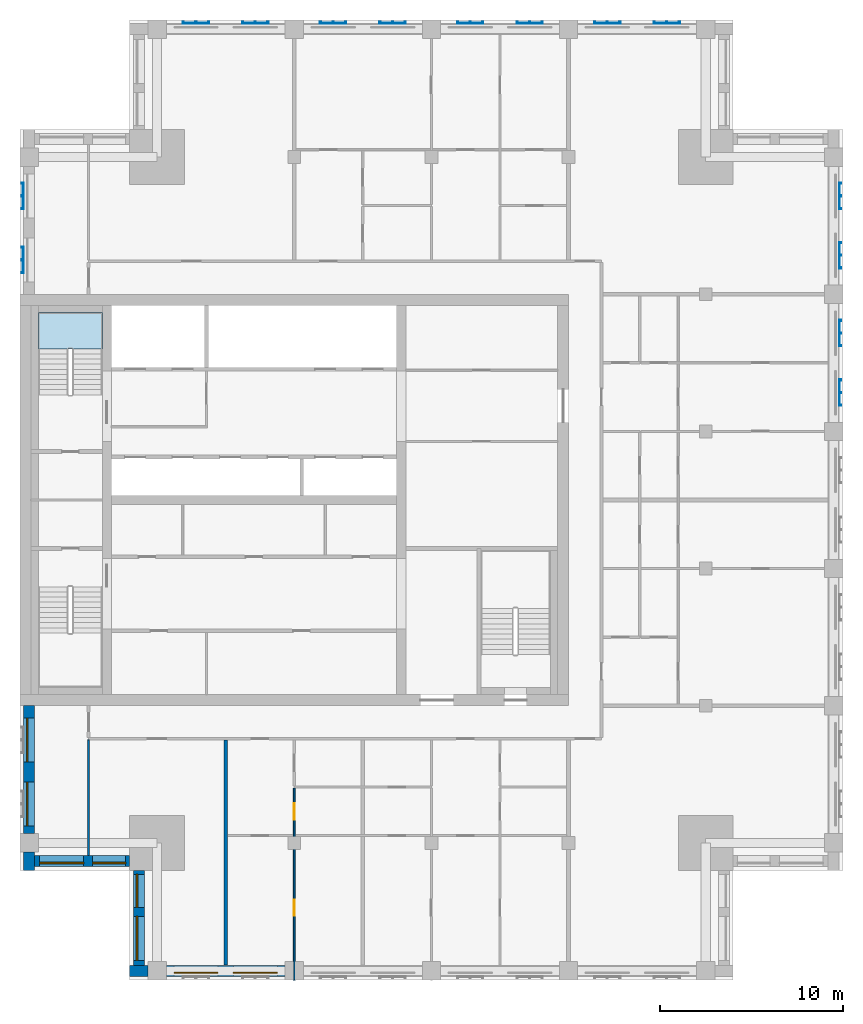
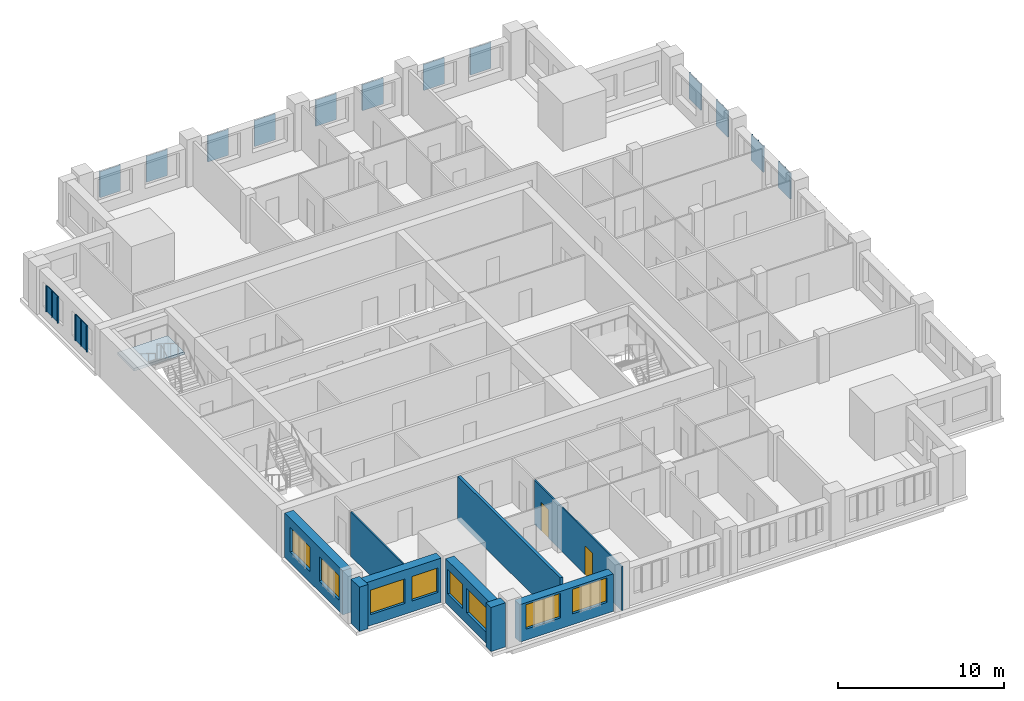
# One storey, part 2 of 10: 14 plates, 9 walls, 8 windows, 2 doors, 1 slab, 10 openings, 1 element without a shape of its own.
"""IFC4 building model written with IfcOpenShell, lengths in metres."""

import ifcopenshell
import ifcopenshell.guid

model = None  # the IFC model being written
_history = None  # IfcOwnerHistory: only IFC2X3 demands one
_inside = {}  # id of a spatial element -> (the spatial element, [elements in it])
_under = {}  # id of a project, library or spatial element -> (it, [spatial elements below it])
_declared = {}  # id of a project -> (the project, [libraries it declares])
_typed = {}  # id of a type object -> (the type object, [elements of that type])
_made_of = {}  # id of a material, layer set ... -> (it, [elements and type objects made of it])


def new_model(schema):
    """Start an empty IFC model of exactly this schema.

    Asked for "IFC4X3", IfcOpenShell would pick the latest addendum, in which some entities
    have other attributes; the version numbers below select the first issue.
    IFC2X3 requires an IfcOwnerHistory on every rooted entity: one is made here for all.
    """
    global model, _history
    if schema == "IFC4X3":
        model = ifcopenshell.file(schema_version=(4, 3, 0, 0))
    else:
        model = ifcopenshell.file(schema=schema)
    _inside.clear()
    _under.clear()
    _declared.clear()
    _typed.clear()
    _made_of.clear()
    _history = None
    if model.schema == "IFC2X3":
        org = make("IfcOrganization", Name="unknown")
        user = make(
            "IfcPersonAndOrganization",
            ThePerson=make("IfcPerson", FamilyName="unknown"),
            TheOrganization=org,
        )
        app = make(
            "IfcApplication",
            ApplicationDeveloper=org,
            Version="unknown",
            ApplicationFullName="unknown",
            ApplicationIdentifier="unknown",
        )
        _history = make(
            "IfcOwnerHistory",
            OwningUser=user,
            OwningApplication=app,
            ChangeAction="ADDED",
            CreationDate=0,
        )
    return model


def make(cls, **values):
    """One entity of the class cls with the attributes given. An attribute that is None is left unset."""
    return model.create_entity(
        cls, **{name: value for name, value in values.items() if value is not None}
    )


def rooted(cls, **values):
    """An entity with a GlobalId (a new one), such as an element, a storey or a relation."""
    return make(cls, GlobalId=ifcopenshell.guid.new(), OwnerHistory=_history, **values)


def si_unit(unit_type, name, prefix=None):
    """IfcSIUnit, for example si_unit("LENGTHUNIT", "METRE", prefix="MILLI")."""
    return make("IfcSIUnit", UnitType=unit_type, Prefix=prefix, Name=name)


def assignment(units):
    """IfcUnitAssignment: the units of a project."""
    return None if units is None else make("IfcUnitAssignment", Units=units)


def point(xyz):
    """IfcCartesianPoint."""
    return None if xyz is None else make("IfcCartesianPoint", Coordinates=xyz)


def direction(xyz):
    """IfcDirection."""
    return None if xyz is None else make("IfcDirection", DirectionRatios=xyz)


def frame(location, z_axis=None, x_axis=None):
    """IfcAxis2Placement3D, a coordinate frame: its origin and axes. An axis left out is left unset."""
    return make(
        "IfcAxis2Placement3D",
        Location=point(location),
        Axis=direction(z_axis),
        RefDirection=direction(x_axis),
    )


def frame_2d(location, x_axis=None):
    """IfcAxis2Placement2D, a coordinate frame in the plane: its origin and x axis."""
    return make(
        "IfcAxis2Placement2D", Location=point(location), RefDirection=direction(x_axis)
    )


def origin():
    """The frame at (0, 0, 0) with its axes left unset."""
    return frame((0.0, 0.0, 0.0))


def place(relative_to, where):
    """IfcLocalPlacement: puts the frame where relative to a parent placement (None: the world)."""
    return make(
        "IfcLocalPlacement", PlacementRelTo=relative_to, RelativePlacement=where
    )


def context(
    kind, dimensions, precision=None, world=None, true_north=None, identifier=None
):
    """IfcGeometricRepresentationContext, for example the 3D "Model" context."""
    return make(
        "IfcGeometricRepresentationContext",
        ContextIdentifier=identifier,
        ContextType=kind,
        CoordinateSpaceDimension=dimensions,
        Precision=precision,
        WorldCoordinateSystem=world,
        TrueNorth=true_north,
    )


def subcontext(parent, identifier, kind, view, scale=None):
    """IfcGeometricRepresentationSubContext, for example "Body" below "Model"."""
    return make(
        "IfcGeometricRepresentationSubContext",
        ContextIdentifier=identifier,
        ContextType=kind,
        ParentContext=parent,
        TargetScale=scale,
        TargetView=view,
    )


def project(units=None, contexts=None):
    """IfcProject with its units and contexts."""
    return rooted(
        "IfcProject",
        Name="project",
        RepresentationContexts=contexts,
        UnitsInContext=assignment(units),
    )


def spatial(cls, under=None, at=None, **own):
    """A site, building, storey or space (cls), placed at a placement, below another one or the project."""
    s = rooted(cls, ObjectPlacement=at, **own)
    if under is not None:
        _under.setdefault(under.id(), (under, []))[1].append(s)
    return s


def polyline(points):
    """IfcPolyline through the points."""
    return make("IfcPolyline", Points=[point(p) for p in points])


def profile(cls, at=None, kind="AREA", **sizes):
    """A parametric profile (cls). Its sizes go by their IFC names, for example OverallWidth=200.0."""
    return make(cls, ProfileType=kind, Position=at, **sizes)


def rectangle(**sizes):
    """IfcRectangleProfileDef."""
    return profile("IfcRectangleProfileDef", **sizes)


def outline(outer, holes=None, kind="AREA"):
    """IfcArbitraryClosedProfileDef: a profile drawn as a closed curve; with holes, ...WithVoids."""
    if holes is None:
        return make("IfcArbitraryClosedProfileDef", ProfileType=kind, OuterCurve=outer)
    return make(
        "IfcArbitraryProfileDefWithVoids",
        ProfileType=kind,
        OuterCurve=outer,
        InnerCurves=holes,
    )


def extrude(swept, where, along, depth):
    """IfcExtrudedAreaSolid: the profile swept, set in the frame where, extruded along a direction by depth."""
    return make(
        "IfcExtrudedAreaSolid",
        SweptArea=swept,
        Position=where,
        ExtrudedDirection=direction(along),
        Depth=depth,
    )


def shape(context_of_items, identifier, shape_type, items):
    """IfcShapeRepresentation: the items that make up one representation, for example the "Body"."""
    return make(
        "IfcShapeRepresentation",
        ContextOfItems=context_of_items,
        RepresentationIdentifier=identifier,
        RepresentationType=shape_type,
        Items=items,
    )


def material(Name=None, Category=None):
    """IfcMaterial."""
    return make("IfcMaterial", Name=Name, Category=Category)


def layer(
    of_material, thickness, ventilated=None, Name=None, Category=None, Priority=None
):
    """IfcMaterialLayer: one layer of a wall or slab, of a material (None: an air gap)."""
    return make(
        "IfcMaterialLayer",
        Material=of_material,
        LayerThickness=thickness,
        IsVentilated=ventilated,
        Name=Name,
        Category=Category,
        Priority=Priority,
    )


def layer_set(layers, Name=None):
    """IfcMaterialLayerSet."""
    return make("IfcMaterialLayerSet", MaterialLayers=layers, LayerSetName=Name)


def made_of(thing, what):
    """Note that an element or type object is made of a material, layer set ...; save() writes the relation."""
    if what is not None:
        _made_of.setdefault(what.id(), (what, []))[1].append(thing)
    return thing


def type_object(cls, material=None, **own):
    """A type object (cls), such as IfcWallType, which elements share."""
    return made_of(rooted(cls, **own), material)


def element(
    cls,
    number,
    at=None,
    inside=None,
    cuts=None,
    type_object=None,
    material=None,
    context=None,
    identifier="Body",
    shape_type=None,
    held_by="IfcProductDefinitionShape",
    body=None,
    shapes=None,
    **own,
):
    """One element of the class cls, such as IfcWall. Its Tag is "e" and its number.

    at: its placement. inside: the storey or other place that contains it. cuts: it is an
    opening in that element (IfcRelVoidsElement). A single representation is given by context,
    identifier, shape_type and body (its items); several are given by shapes. held_by: the class
    of the entity that holds the representations. save() writes the other relations.
    """
    e = rooted(cls, Tag="e%d" % number, ObjectPlacement=at, **own)
    if body is not None:
        shapes = [shape(context, identifier, shape_type, body)]
    if shapes is not None:
        e.Representation = make(held_by, Representations=shapes)
    if inside is not None:
        _inside.setdefault(inside.id(), (inside, []))[1].append(e)
    if cuts is not None:
        rooted(
            "IfcRelVoidsElement", RelatingBuildingElement=cuts, RelatedOpeningElement=e
        )
    if type_object is not None:
        _typed.setdefault(type_object.id(), (type_object, []))[1].append(e)
    return made_of(e, material)


def fill(opening, filler):
    """IfcRelFillsElement: the door or window that sits in an opening."""
    return rooted(
        "IfcRelFillsElement",
        RelatingOpeningElement=opening,
        RelatedBuildingElement=filler,
    )


def aggregate(whole, parts):
    """IfcRelAggregates: a whole, such as a stair, and the parts it consists of."""
    return rooted("IfcRelAggregates", RelatingObject=whole, RelatedObjects=parts)


def save(model, path):
    """Write the relations noted so far, then the file.

    IfcRelAggregates (storeys below a building ...), IfcRelContainedInSpatialStructure (elements
    in a storey), IfcRelDefinesByType, IfcRelAssociatesMaterial and IfcRelDeclares: one each for
    every whole, place, type object, material and project.
    """
    for whole, parts in _under.values():
        aggregate(whole, parts)
    for where, things in _inside.values():
        rooted(
            "IfcRelContainedInSpatialStructure",
            RelatedElements=things,
            RelatingStructure=where,
        )
    for kind, things in _typed.values():
        rooted("IfcRelDefinesByType", RelatedObjects=things, RelatingType=kind)
    for what, things in _made_of.values():
        rooted("IfcRelAssociatesMaterial", RelatedObjects=things, RelatingMaterial=what)
    for by, libraries in _declared.values():
        rooted("IfcRelDeclares", RelatingContext=by, RelatedDefinitions=libraries)
    model.write(path)


model = new_model("IFC4")

# Units and contexts
model_context = context("Model", 3, precision=1e-05, world=origin(), true_north=direction((0.0, 1.0)))
body_context = subcontext(model_context, "Body", "Model", "MODEL_VIEW")
ifc_project = project(units=[si_unit("LENGTHUNIT", "METRE"), si_unit("AREAUNIT", "SQUARE_METRE"), si_unit("VOLUMEUNIT", "CUBIC_METRE"), si_unit("PLANEANGLEUNIT", "RADIAN"), si_unit("MASSUNIT", "GRAM", prefix="KILO")], contexts=[model_context])

# Site, building, storey
site_placement = place(None, origin())
site = spatial("IfcSite", under=ifc_project, at=site_placement, CompositionType="ELEMENT")
building_placement = place(site_placement, origin())
building = spatial("IfcBuilding", under=site, at=building_placement, Name="Tamorin Gate", CompositionType="ELEMENT")
storey_placement = place(building_placement, frame((0.0, 0.0, 280.199951171875)))
storey = spatial("IfcBuildingStorey", under=building, at=storey_placement, Name="L70", CompositionType="ELEMENT", Elevation=280.199951171875)

# Stair, slab
ifc_material_1 = material(Name="Concrete C40/50", Category="concrete")
stair_type = type_object("IfcStairType", Name="Exit stair", PredefinedType="HALF_TURN_STAIR", material=ifc_material_1)
stair_placement = place(storey_placement, origin())
stair = element("IfcStair", 1, at=stair_placement, inside=storey, type_object=stair_type, Name="L70 stair ST2", PredefinedType="HALF_TURN_STAIR")
ifc_layer_1 = layer(ifc_material_1, 0.199951171875)
ifc_layer_set_1 = layer_set([ifc_layer_1], Name="Exit stair landing 200")
slab_type = type_object("IfcSlabType", Name="Exit stair landing 200", PredefinedType="LANDING", material=ifc_layer_set_1)
slab_placement = place(storey_placement, frame((0.0, 0.0, 1.550048828125)))
slab = element("IfcSlab", 2, at=slab_placement, type_object=slab_type, Name="ST2 landing 1", PredefinedType="LANDING", context=body_context, shape_type="SweptSolid", body=[
    extrude(outline(polyline([(34.5, 79.52001953125), (34.5, 81.5), (31.0, 81.5), (31.0, 79.52001953125), (34.5, 79.52001953125)])), origin(), (0.0, 0.0, 1.0), 0.199951171875),
])
aggregate(stair, [slab])

# Plates
ifc_material_2 = material(Name="Perforated pale aluminium sheet", Category="aluminium")
ifc_layer_2 = layer(ifc_material_2, 0.0400390625)
ifc_layer_set_2 = layer_set([ifc_layer_2], Name="Pale metal solar screen 1440")
plate_type = type_object("IfcPlateType", Name="Pale metal solar screen 1440", PredefinedType="SHEET", material=ifc_layer_set_2)
plate_1_placement = place(storey_placement, frame((0.0, 0.0, 0.737548828125)))
element("IfcPlate", 3, at=plate_1_placement, inside=storey, type_object=plate_type, Name="Perforated solar screen", PredefinedType="SHEET", context=body_context, shape_type="SweptSolid", body=[
    extrude(outline(polyline([(74.840087890625, 76.405029296875), (74.800048828125, 76.405029296875), (74.800048828125, 76.465087890625), (74.800048828125, 77.094970703125), (74.800048828125, 77.155029296875), (74.800048828125, 77.784912109375), (74.800048828125, 77.844970703125), (74.840087890625, 77.844970703125), (74.89990234375, 77.844970703125), (74.89990234375, 77.784912109375), (74.840087890625, 77.784912109375), (74.840087890625, 77.155029296875), (74.89990234375, 77.155029296875), (74.89990234375, 77.094970703125), (74.840087890625, 77.094970703125), (74.840087890625, 76.465087890625), (74.89990234375, 76.465087890625), (74.89990234375, 76.405029296875), (74.840087890625, 76.405029296875)])), origin(), (0.0, 0.0, 1.0), 1.925048828125),
])
plate_2_placement = place(storey_placement, frame((0.0, 0.0, 0.737548828125)))
element("IfcPlate", 4, at=plate_2_placement, inside=storey, type_object=plate_type, Name="Perforated solar screen", PredefinedType="SHEET", context=body_context, shape_type="SweptSolid", body=[
    extrude(outline(polyline([(74.840087890625, 79.655029296875), (74.800048828125, 79.655029296875), (74.800048828125, 79.715087890625), (74.800048828125, 80.344970703125), (74.800048828125, 80.405029296875), (74.800048828125, 81.034912109375), (74.800048828125, 81.094970703125), (74.840087890625, 81.094970703125), (74.89990234375, 81.094970703125), (74.89990234375, 81.034912109375), (74.840087890625, 81.034912109375), (74.840087890625, 80.405029296875), (74.89990234375, 80.405029296875), (74.89990234375, 80.344970703125), (74.840087890625, 80.344970703125), (74.840087890625, 79.715087890625), (74.89990234375, 79.715087890625), (74.89990234375, 79.655029296875), (74.840087890625, 79.655029296875)])), origin(), (0.0, 0.0, 1.0), 1.925048828125),
])
plate_3_placement = place(storey_placement, frame((0.0, 0.0, 0.737548828125)))
element("IfcPlate", 5, at=plate_3_placement, inside=storey, type_object=plate_type, Name="Perforated solar screen", PredefinedType="SHEET", context=body_context, shape_type="SweptSolid", body=[
    extrude(outline(polyline([(74.840087890625, 83.905029296875), (74.800048828125, 83.905029296875), (74.800048828125, 83.965087890625), (74.800048828125, 84.594970703125), (74.800048828125, 84.655029296875), (74.800048828125, 85.284912109375), (74.800048828125, 85.344970703125), (74.840087890625, 85.344970703125), (74.89990234375, 85.344970703125), (74.89990234375, 85.284912109375), (74.840087890625, 85.284912109375), (74.840087890625, 84.655029296875), (74.89990234375, 84.655029296875), (74.89990234375, 84.594970703125), (74.840087890625, 84.594970703125), (74.840087890625, 83.965087890625), (74.89990234375, 83.965087890625), (74.89990234375, 83.905029296875), (74.840087890625, 83.905029296875)])), origin(), (0.0, 0.0, 1.0), 1.925048828125),
])
plate_4_placement = place(storey_placement, frame((0.0, 0.0, 0.737548828125)))
element("IfcPlate", 6, at=plate_4_placement, inside=storey, type_object=plate_type, Name="Perforated solar screen", PredefinedType="SHEET", context=body_context, shape_type="SweptSolid", body=[
    extrude(outline(polyline([(74.840087890625, 87.155029296875), (74.800048828125, 87.155029296875), (74.800048828125, 87.215087890625), (74.800048828125, 87.844970703125), (74.800048828125, 87.905029296875), (74.800048828125, 88.534912109375), (74.800048828125, 88.594970703125), (74.840087890625, 88.594970703125), (74.89990234375, 88.594970703125), (74.89990234375, 88.534912109375), (74.840087890625, 88.534912109375), (74.840087890625, 87.905029296875), (74.89990234375, 87.905029296875), (74.89990234375, 87.844970703125), (74.840087890625, 87.844970703125), (74.840087890625, 87.215087890625), (74.89990234375, 87.215087890625), (74.89990234375, 87.155029296875), (74.840087890625, 87.155029296875)])), origin(), (0.0, 0.0, 1.0), 1.925048828125),
])
plate_5_placement = place(storey_placement, frame((0.0, 0.0, 0.737548828125)))
element("IfcPlate", 7, at=plate_5_placement, inside=storey, type_object=plate_type, Name="Perforated solar screen", PredefinedType="SHEET", context=body_context, shape_type="SweptSolid", body=[
    extrude(outline(polyline([(62.844970703125, 97.340087890625), (62.844970703125, 97.300048828125), (62.784912109375, 97.300048828125), (62.155029296875, 97.300048828125), (62.094970703125, 97.300048828125), (61.465087890625, 97.300048828125), (61.405029296875, 97.300048828125), (61.405029296875, 97.300048828125), (61.405029296875, 97.340087890625), (61.405029296875, 97.340087890625), (61.405029296875, 97.39990234375), (61.465087890625, 97.39990234375), (61.465087890625, 97.340087890625), (62.094970703125, 97.340087890625), (62.094970703125, 97.39990234375), (62.155029296875, 97.39990234375), (62.155029296875, 97.340087890625), (62.784912109375, 97.340087890625), (62.784912109375, 97.39990234375), (62.844970703125, 97.39990234375), (62.844970703125, 97.340087890625)])), origin(), (0.0, 0.0, 1.0), 1.925048828125),
])
plate_6_placement = place(storey_placement, frame((0.0, 0.0, 0.737548828125)))
element("IfcPlate", 8, at=plate_6_placement, inside=storey, type_object=plate_type, Name="Perforated solar screen", PredefinedType="SHEET", context=body_context, shape_type="SweptSolid", body=[
    extrude(outline(polyline([(66.094970703125, 97.340087890625), (66.094970703125, 97.300048828125), (66.034912109375, 97.300048828125), (65.405029296875, 97.300048828125), (65.344970703125, 97.300048828125), (64.715087890625, 97.300048828125), (64.655029296875, 97.300048828125), (64.655029296875, 97.300048828125), (64.655029296875, 97.340087890625), (64.655029296875, 97.340087890625), (64.655029296875, 97.39990234375), (64.715087890625, 97.39990234375), (64.715087890625, 97.340087890625), (65.344970703125, 97.340087890625), (65.344970703125, 97.39990234375), (65.405029296875, 97.39990234375), (65.405029296875, 97.340087890625), (66.034912109375, 97.340087890625), (66.034912109375, 97.39990234375), (66.094970703125, 97.39990234375), (66.094970703125, 97.340087890625)])), origin(), (0.0, 0.0, 1.0), 1.925048828125),
])
plate_7_placement = place(storey_placement, frame((0.0, 0.0, 0.737548828125)))
element("IfcPlate", 9, at=plate_7_placement, inside=storey, type_object=plate_type, Name="Perforated solar screen", PredefinedType="SHEET", context=body_context, shape_type="SweptSolid", body=[
    extrude(outline(polyline([(55.344970703125, 97.340087890625), (55.344970703125, 97.300048828125), (55.284912109375, 97.300048828125), (54.655029296875, 97.300048828125), (54.594970703125, 97.300048828125), (53.965087890625, 97.300048828125), (53.905029296875, 97.300048828125), (53.905029296875, 97.340087890625), (53.905029296875, 97.39990234375), (53.965087890625, 97.39990234375), (53.965087890625, 97.340087890625), (54.594970703125, 97.340087890625), (54.594970703125, 97.39990234375), (54.655029296875, 97.39990234375), (54.655029296875, 97.340087890625), (55.284912109375, 97.340087890625), (55.284912109375, 97.39990234375), (55.344970703125, 97.39990234375), (55.344970703125, 97.340087890625)])), origin(), (0.0, 0.0, 1.0), 1.925048828125),
])
plate_8_placement = place(storey_placement, frame((0.0, 0.0, 0.737548828125)))
element("IfcPlate", 10, at=plate_8_placement, inside=storey, type_object=plate_type, Name="Perforated solar screen", PredefinedType="SHEET", context=body_context, shape_type="SweptSolid", body=[
    extrude(outline(polyline([(58.594970703125, 97.340087890625), (58.594970703125, 97.300048828125), (58.534912109375, 97.300048828125), (57.905029296875, 97.300048828125), (57.844970703125, 97.300048828125), (57.215087890625, 97.300048828125), (57.155029296875, 97.300048828125), (57.155029296875, 97.340087890625), (57.155029296875, 97.39990234375), (57.215087890625, 97.39990234375), (57.215087890625, 97.340087890625), (57.844970703125, 97.340087890625), (57.844970703125, 97.39990234375), (57.905029296875, 97.39990234375), (57.905029296875, 97.340087890625), (58.534912109375, 97.340087890625), (58.534912109375, 97.39990234375), (58.594970703125, 97.39990234375), (58.594970703125, 97.340087890625)])), origin(), (0.0, 0.0, 1.0), 1.925048828125),
])
plate_9_placement = place(storey_placement, frame((0.0, 0.0, 0.737548828125)))
element("IfcPlate", 11, at=plate_9_placement, inside=storey, type_object=plate_type, Name="Perforated solar screen", PredefinedType="SHEET", context=body_context, shape_type="SweptSolid", body=[
    extrude(outline(polyline([(47.844970703125, 97.340087890625), (47.844970703125, 97.300048828125), (47.784912109375, 97.300048828125), (47.155029296875, 97.300048828125), (47.094970703125, 97.300048828125), (46.465087890625, 97.300048828125), (46.405029296875, 97.300048828125), (46.405029296875, 97.340087890625), (46.405029296875, 97.39990234375), (46.465087890625, 97.39990234375), (46.465087890625, 97.340087890625), (47.094970703125, 97.340087890625), (47.094970703125, 97.39990234375), (47.155029296875, 97.39990234375), (47.155029296875, 97.340087890625), (47.784912109375, 97.340087890625), (47.784912109375, 97.39990234375), (47.844970703125, 97.39990234375), (47.844970703125, 97.340087890625)])), origin(), (0.0, 0.0, 1.0), 1.925048828125),
])
plate_10_placement = place(storey_placement, frame((0.0, 0.0, 0.737548828125)))
element("IfcPlate", 12, at=plate_10_placement, inside=storey, type_object=plate_type, Name="Perforated solar screen", PredefinedType="SHEET", context=body_context, shape_type="SweptSolid", body=[
    extrude(outline(polyline([(51.094970703125, 97.340087890625), (51.094970703125, 97.300048828125), (51.034912109375, 97.300048828125), (50.405029296875, 97.300048828125), (50.344970703125, 97.300048828125), (49.715087890625, 97.300048828125), (49.655029296875, 97.300048828125), (49.655029296875, 97.340087890625), (49.655029296875, 97.39990234375), (49.715087890625, 97.39990234375), (49.715087890625, 97.340087890625), (50.344970703125, 97.340087890625), (50.344970703125, 97.39990234375), (50.405029296875, 97.39990234375), (50.405029296875, 97.340087890625), (51.034912109375, 97.340087890625), (51.034912109375, 97.39990234375), (51.094970703125, 97.39990234375), (51.094970703125, 97.340087890625)])), origin(), (0.0, 0.0, 1.0), 1.925048828125),
])
plate_11_placement = place(storey_placement, frame((0.0, 0.0, 0.737548828125)))
element("IfcPlate", 13, at=plate_11_placement, inside=storey, type_object=plate_type, Name="Perforated solar screen", PredefinedType="SHEET", context=body_context, shape_type="SweptSolid", body=[
    extrude(outline(polyline([(40.344970703125, 97.340087890625), (40.344970703125, 97.300048828125), (40.284912109375, 97.300048828125), (39.655029296875, 97.300048828125), (39.594970703125, 97.300048828125), (38.965087890625, 97.300048828125), (38.905029296875, 97.300048828125), (38.905029296875, 97.340087890625), (38.905029296875, 97.39990234375), (38.965087890625, 97.39990234375), (38.965087890625, 97.340087890625), (39.594970703125, 97.340087890625), (39.594970703125, 97.39990234375), (39.655029296875, 97.39990234375), (39.655029296875, 97.340087890625), (40.284912109375, 97.340087890625), (40.284912109375, 97.39990234375), (40.344970703125, 97.39990234375), (40.344970703125, 97.340087890625)])), origin(), (0.0, 0.0, 1.0), 1.925048828125),
])
plate_12_placement = place(storey_placement, frame((0.0, 0.0, 0.737548828125)))
element("IfcPlate", 14, at=plate_12_placement, inside=storey, type_object=plate_type, Name="Perforated solar screen", PredefinedType="SHEET", context=body_context, shape_type="SweptSolid", body=[
    extrude(outline(polyline([(43.594970703125, 97.340087890625), (43.594970703125, 97.300048828125), (43.534912109375, 97.300048828125), (42.905029296875, 97.300048828125), (42.844970703125, 97.300048828125), (42.215087890625, 97.300048828125), (42.155029296875, 97.300048828125), (42.155029296875, 97.340087890625), (42.155029296875, 97.39990234375), (42.215087890625, 97.39990234375), (42.215087890625, 97.340087890625), (42.844970703125, 97.340087890625), (42.844970703125, 97.39990234375), (42.905029296875, 97.39990234375), (42.905029296875, 97.340087890625), (43.534912109375, 97.340087890625), (43.534912109375, 97.39990234375), (43.594970703125, 97.39990234375), (43.594970703125, 97.340087890625)])), origin(), (0.0, 0.0, 1.0), 1.925048828125),
])
plate_13_placement = place(storey_placement, frame((0.0, 0.0, 0.737548828125)))
element("IfcPlate", 15, at=plate_13_placement, inside=storey, type_object=plate_type, Name="Perforated solar screen", PredefinedType="SHEET", context=body_context, shape_type="SweptSolid", body=[
    extrude(outline(polyline([(30.159912109375, 85.094970703125), (30.199951171875, 85.094970703125), (30.199951171875, 85.034912109375), (30.199951171875, 84.405029296875), (30.199951171875, 84.344970703125), (30.199951171875, 83.715087890625), (30.199951171875, 83.655029296875), (30.199951171875, 83.655029296875), (30.159912109375, 83.655029296875), (30.159912109375, 83.655029296875), (30.10009765625, 83.655029296875), (30.10009765625, 83.715087890625), (30.159912109375, 83.715087890625), (30.159912109375, 84.344970703125), (30.10009765625, 84.344970703125), (30.10009765625, 84.405029296875), (30.159912109375, 84.405029296875), (30.159912109375, 85.034912109375), (30.10009765625, 85.034912109375), (30.10009765625, 85.094970703125), (30.159912109375, 85.094970703125)])), origin(), (0.0, 0.0, 1.0), 1.925048828125),
])
plate_14_placement = place(storey_placement, frame((0.0, 0.0, 0.737548828125)))
element("IfcPlate", 16, at=plate_14_placement, inside=storey, type_object=plate_type, Name="Perforated solar screen", PredefinedType="SHEET", context=body_context, shape_type="SweptSolid", body=[
    extrude(outline(polyline([(30.159912109375, 88.594970703125), (30.199951171875, 88.594970703125), (30.199951171875, 88.534912109375), (30.199951171875, 87.905029296875), (30.199951171875, 87.844970703125), (30.199951171875, 87.215087890625), (30.199951171875, 87.155029296875), (30.199951171875, 87.155029296875), (30.159912109375, 87.155029296875), (30.159912109375, 87.155029296875), (30.10009765625, 87.155029296875), (30.10009765625, 87.215087890625), (30.159912109375, 87.215087890625), (30.159912109375, 87.844970703125), (30.10009765625, 87.844970703125), (30.10009765625, 87.905029296875), (30.159912109375, 87.905029296875), (30.159912109375, 88.534912109375), (30.10009765625, 88.534912109375), (30.10009765625, 88.594970703125), (30.159912109375, 88.594970703125)])), origin(), (0.0, 0.0, 1.0), 1.925048828125),
])

# Wall
ifc_material_3 = material(Name="Precast concrete C40/50", Category="concrete")
ifc_layer_3 = layer(ifc_material_3, 0.60009765625)
ifc_layer_set_3 = layer_set([ifc_layer_3], Name="Precast concrete C40/50")
wall_type_1 = type_object("IfcWallType", Name="Board-marked concrete facade panel 600", PredefinedType="SOLIDWALL", material=ifc_layer_set_3)
wall_1_placement = place(storey_placement, frame((36.0, 45.5, 0.0), z_axis=(0.0, 0.0, 1.0), x_axis=(1.0, 0.0, 0.0)))
element("IfcWall", 17, at=wall_1_placement, inside=storey, type_object=wall_type_1, Name="Facade panel", PredefinedType="SOLIDWALL", context=body_context, shape_type="SweptSolid", body=[
    extrude(rectangle(XDim=1.0, YDim=0.60009765625, at=frame_2d((0.5, 0.0))), origin(), (0.0, 0.0, 1.0), 3.25),
])

# Wall, openings, windows
wall_2_placement = place(storey_placement, frame((38.0, 45.5, 0.0), z_axis=(0.0, 0.0, 1.0), x_axis=(1.0, 0.0, 0.0)))
wall_2 = element("IfcWall", 18, at=wall_2_placement, inside=storey, type_object=wall_type_1, Name="Facade panel", PredefinedType="SOLIDWALL", context=body_context, shape_type="SweptSolid", body=[
    extrude(rectangle(XDim=6.5, YDim=0.60009765625, at=frame_2d((3.25, 0.0))), origin(), (0.0, 0.0, 1.0), 2.75),
])
opening_1_placement = place(wall_2_placement, frame((0.425048828125, 0.0, 0.800048828125)))
opening_1 = element("IfcOpeningElement", 19, at=opening_1_placement, cuts=wall_2, Name="Opening WN1", PredefinedType="OPENING", context=body_context, shape_type="SweptSolid", body=[
    extrude(rectangle(XDim=2.39990234375, YDim=1.800048828125, at=frame_2d((1.199951171875, 0.89990234375))), frame((0.0, 0.31005859375, 0.0), z_axis=(0.0, -1.0, 0.0), x_axis=(1.0, 0.0, 0.0)), (0.0, 0.0, 1.0), 0.6201171875),
])
opening_2_placement = place(wall_2_placement, frame((3.675048828125, 0.0, 0.800048828125)))
opening_2 = element("IfcOpeningElement", 20, at=opening_2_placement, cuts=wall_2, Name="Opening WN1", PredefinedType="OPENING", context=body_context, shape_type="SweptSolid", body=[
    extrude(rectangle(XDim=2.39990234375, YDim=1.800048828125, at=frame_2d((1.199951171875, 0.89990234375))), frame((0.0, 0.31005859375, 0.0), z_axis=(0.0, -1.0, 0.0), x_axis=(1.0, 0.0, 0.0)), (0.0, 0.0, 1.0), 0.6201171875),
])
ifc_material_4 = material(Name="Clear glass in aluminium frame", Category="aluminium")
window_type_1 = type_object("IfcWindowType", Name="Deep-set window 2400x1800", PartitioningType="SINGLE_PANEL", PredefinedType="WINDOW", material=ifc_material_4)
window_1_placement = place(opening_1_placement, origin())
window_1 = element("IfcWindow", 21, at=window_1_placement, inside=storey, type_object=window_type_1, Name="Deep-set window", OverallHeight=1.800048828125, OverallWidth=2.39990234375, PartitioningType="SINGLE_PANEL", PredefinedType="WINDOW", context=body_context, shape_type="SweptSolid", body=[
    extrude(rectangle(XDim=2.39990234375, YDim=1.800048828125, at=frame_2d((1.199951171875, 0.89990234375))), frame((0.0, -0.070068359375, 0.0), z_axis=(0.0, -1.0, 0.0), x_axis=(1.0, 0.0, 0.0)), (0.0, 0.0, 1.0), 0.06005859375),
])
fill(opening_1, window_1)
window_2_placement = place(opening_2_placement, origin())
window_2 = element("IfcWindow", 22, at=window_2_placement, inside=storey, type_object=window_type_1, Name="Deep-set window", OverallHeight=1.800048828125, OverallWidth=2.39990234375, PartitioningType="SINGLE_PANEL", PredefinedType="WINDOW", context=body_context, shape_type="SweptSolid", body=[
    extrude(rectangle(XDim=2.39990234375, YDim=1.800048828125, at=frame_2d((1.199951171875, 0.89990234375))), frame((0.0, -0.070068359375, 0.0), z_axis=(0.0, -1.0, 0.0), x_axis=(1.0, 0.0, 0.0)), (0.0, 0.0, 1.0), 0.06005859375),
])
fill(opening_2, window_2)

wall_3_placement = place(storey_placement, frame((30.5, 60.0, 0.0), z_axis=(0.0, 0.0, 1.0), x_axis=(0.0, -1.0, 0.0)))
wall_3 = element("IfcWall", 23, at=wall_3_placement, inside=storey, type_object=wall_type_1, Name="Facade panel", PredefinedType="SOLIDWALL", context=body_context, shape_type="SweptSolid", body=[
    extrude(rectangle(XDim=7.0, YDim=0.60009765625, at=frame_2d((3.5, 0.0))), origin(), (0.0, 0.0, 1.0), 3.25),
])
opening_3_placement = place(wall_3_placement, frame((4.175048828125, 0.0, 0.800048828125)))
opening_3 = element("IfcOpeningElement", 24, at=opening_3_placement, cuts=wall_3, Name="Opening WN1", PredefinedType="OPENING", context=body_context, shape_type="SweptSolid", body=[
    extrude(rectangle(XDim=2.39990234375, YDim=1.800048828125, at=frame_2d((1.199951171875, 0.89990234375))), frame((0.0, 0.31005859375, 0.0), z_axis=(0.0, -1.0, 0.0), x_axis=(1.0, 0.0, 0.0)), (0.0, 0.0, 1.0), 0.6201171875),
])
opening_4_placement = place(wall_3_placement, frame((0.675048828125, 0.0, 0.800048828125)))
opening_4 = element("IfcOpeningElement", 25, at=opening_4_placement, cuts=wall_3, Name="Opening WN1", PredefinedType="OPENING", context=body_context, shape_type="SweptSolid", body=[
    extrude(rectangle(XDim=2.39990234375, YDim=1.800048828125, at=frame_2d((1.199951171875, 0.89990234375))), frame((0.0, 0.31005859375, 0.0), z_axis=(0.0, -1.0, 0.0), x_axis=(1.0, 0.0, 0.0)), (0.0, 0.0, 1.0), 0.6201171875),
])
window_3_placement = place(opening_3_placement, origin())
window_3 = element("IfcWindow", 26, at=window_3_placement, inside=storey, type_object=window_type_1, Name="Deep-set window", OverallHeight=1.800048828125, OverallWidth=2.39990234375, PartitioningType="SINGLE_PANEL", PredefinedType="WINDOW", context=body_context, shape_type="SweptSolid", body=[
    extrude(rectangle(XDim=2.39990234375, YDim=1.800048828125, at=frame_2d((1.199951171875, 0.89990234375))), frame((0.0, -0.070068359375, 0.0), z_axis=(0.0, -1.0, 0.0), x_axis=(1.0, 0.0, 0.0)), (0.0, 0.0, 1.0), 0.06005859375),
])
fill(opening_3, window_3)
window_4_placement = place(opening_4_placement, origin())
window_4 = element("IfcWindow", 27, at=window_4_placement, inside=storey, type_object=window_type_1, Name="Deep-set window", OverallHeight=1.800048828125, OverallWidth=2.39990234375, PartitioningType="SINGLE_PANEL", PredefinedType="WINDOW", context=body_context, shape_type="SweptSolid", body=[
    extrude(rectangle(XDim=2.39990234375, YDim=1.800048828125, at=frame_2d((1.199951171875, 0.89990234375))), frame((0.0, -0.070068359375, 0.0), z_axis=(0.0, -1.0, 0.0), x_axis=(1.0, 0.0, 0.0)), (0.0, 0.0, 1.0), 0.06005859375),
])
fill(opening_4, window_4)

# Wall
wall_4_placement = place(storey_placement, frame((30.5, 52.0, 0.0), z_axis=(0.0, 0.0, 1.0), x_axis=(0.0, -1.0, 0.0)))
element("IfcWall", 28, at=wall_4_placement, inside=storey, type_object=wall_type_1, Name="Facade panel", PredefinedType="SOLIDWALL", context=body_context, shape_type="SweptSolid", body=[
    extrude(rectangle(XDim=1.0, YDim=0.60009765625, at=frame_2d((0.5, 0.0))), origin(), (0.0, 0.0, 1.0), 3.25),
])

# Wall, openings, windows
wall_5_placement = place(storey_placement, frame((30.800048828125, 51.5, 0.0), z_axis=(0.0, 0.0, 1.0), x_axis=(1.0, 0.0, 0.0)))
wall_5 = element("IfcWall", 29, at=wall_5_placement, inside=storey, type_object=wall_type_1, Name="Facade panel", PredefinedType="SOLIDWALL", context=body_context, shape_type="SweptSolid", body=[
    extrude(rectangle(XDim=5.199951171875, YDim=0.60009765625, at=frame_2d((2.60009765625, 0.0))), origin(), (0.0, 0.0, 1.0), 3.25),
])
opening_5_placement = place(wall_5_placement, frame((0.27490234375, 0.0, 0.800048828125)))
opening_5 = element("IfcOpeningElement", 30, at=opening_5_placement, cuts=wall_5, Name="Opening WN1", PredefinedType="OPENING", context=body_context, shape_type="SweptSolid", body=[
    extrude(rectangle(XDim=2.39990234375, YDim=1.800048828125, at=frame_2d((1.199951171875, 0.89990234375))), frame((0.0, 0.31005859375, 0.0), z_axis=(0.0, -1.0, 0.0), x_axis=(1.0, 0.0, 0.0)), (0.0, 0.0, 1.0), 0.6201171875),
])
opening_6_placement = place(wall_5_placement, frame((3.175048828125, 0.0, 0.800048828125)))
opening_6 = element("IfcOpeningElement", 31, at=opening_6_placement, cuts=wall_5, Name="Opening WN2", PredefinedType="OPENING", context=body_context, shape_type="SweptSolid", body=[
    extrude(rectangle(XDim=1.800048828125, YDim=1.800048828125, at=frame_2d((0.89990234375, 0.89990234375))), frame((0.0, 0.31005859375, 0.0), z_axis=(0.0, -1.0, 0.0), x_axis=(1.0, 0.0, 0.0)), (0.0, 0.0, 1.0), 0.6201171875),
])
window_type_2 = type_object("IfcWindowType", Name="Deep-set window 1800x1800", PartitioningType="SINGLE_PANEL", PredefinedType="WINDOW", material=ifc_material_4)
window_5_placement = place(opening_6_placement, origin())
window_5 = element("IfcWindow", 32, at=window_5_placement, inside=storey, type_object=window_type_2, Name="Deep-set window", OverallHeight=1.800048828125, OverallWidth=1.800048828125, PartitioningType="SINGLE_PANEL", PredefinedType="WINDOW", context=body_context, shape_type="SweptSolid", body=[
    extrude(rectangle(XDim=1.800048828125, YDim=1.800048828125, at=frame_2d((0.89990234375, 0.89990234375))), frame((0.0, -0.070068359375, 0.0), z_axis=(0.0, -1.0, 0.0), x_axis=(1.0, 0.0, 0.0)), (0.0, 0.0, 1.0), 0.06005859375),
])
fill(opening_6, window_5)
window_6_placement = place(opening_5_placement, origin())
window_6 = element("IfcWindow", 33, at=window_6_placement, inside=storey, type_object=window_type_1, Name="Deep-set window", OverallHeight=1.800048828125, OverallWidth=2.39990234375, PartitioningType="SINGLE_PANEL", PredefinedType="WINDOW", context=body_context, shape_type="SweptSolid", body=[
    extrude(rectangle(XDim=2.39990234375, YDim=1.800048828125, at=frame_2d((1.199951171875, 0.89990234375))), frame((0.0, -0.070068359375, 0.0), z_axis=(0.0, -1.0, 0.0), x_axis=(1.0, 0.0, 0.0)), (0.0, 0.0, 1.0), 0.06005859375),
])
fill(opening_5, window_6)

wall_6_placement = place(storey_placement, frame((36.5, 51.0, 0.0), z_axis=(0.0, 0.0, 1.0), x_axis=(0.0, -1.0, 0.0)))
wall_6 = element("IfcWall", 34, at=wall_6_placement, inside=storey, type_object=wall_type_1, Name="Facade panel", PredefinedType="SOLIDWALL", context=body_context, shape_type="SweptSolid", body=[
    extrude(rectangle(XDim=5.199951171875, YDim=0.60009765625, at=frame_2d((2.60009765625, 0.0))), origin(), (0.0, 0.0, 1.0), 3.25),
])
opening_7_placement = place(wall_6_placement, frame((2.52490234375, 0.0, 0.800048828125)))
opening_7 = element("IfcOpeningElement", 35, at=opening_7_placement, cuts=wall_6, Name="Opening WN1", PredefinedType="OPENING", context=body_context, shape_type="SweptSolid", body=[
    extrude(rectangle(XDim=2.39990234375, YDim=1.800048828125, at=frame_2d((1.199951171875, 0.89990234375))), frame((0.0, 0.31005859375, 0.0), z_axis=(0.0, -1.0, 0.0), x_axis=(1.0, 0.0, 0.0)), (0.0, 0.0, 1.0), 0.6201171875),
])
opening_8_placement = place(wall_6_placement, frame((0.22509765625, 0.0, 0.800048828125)))
opening_8 = element("IfcOpeningElement", 36, at=opening_8_placement, cuts=wall_6, Name="Opening WN2", PredefinedType="OPENING", context=body_context, shape_type="SweptSolid", body=[
    extrude(rectangle(XDim=1.800048828125, YDim=1.800048828125, at=frame_2d((0.89990234375, 0.89990234375))), frame((0.0, 0.31005859375, 0.0), z_axis=(0.0, -1.0, 0.0), x_axis=(1.0, 0.0, 0.0)), (0.0, 0.0, 1.0), 0.6201171875),
])
window_7_placement = place(opening_8_placement, origin())
window_7 = element("IfcWindow", 37, at=window_7_placement, inside=storey, type_object=window_type_2, Name="Deep-set window", OverallHeight=1.800048828125, OverallWidth=1.800048828125, PartitioningType="SINGLE_PANEL", PredefinedType="WINDOW", context=body_context, shape_type="SweptSolid", body=[
    extrude(rectangle(XDim=1.800048828125, YDim=1.800048828125, at=frame_2d((0.89990234375, 0.89990234375))), frame((0.0, -0.070068359375, 0.0), z_axis=(0.0, -1.0, 0.0), x_axis=(1.0, 0.0, 0.0)), (0.0, 0.0, 1.0), 0.06005859375),
])
fill(opening_8, window_7)
window_8_placement = place(opening_7_placement, origin())
window_8 = element("IfcWindow", 38, at=window_8_placement, inside=storey, type_object=window_type_1, Name="Deep-set window", OverallHeight=1.800048828125, OverallWidth=2.39990234375, PartitioningType="SINGLE_PANEL", PredefinedType="WINDOW", context=body_context, shape_type="SweptSolid", body=[
    extrude(rectangle(XDim=2.39990234375, YDim=1.800048828125, at=frame_2d((1.199951171875, 0.89990234375))), frame((0.0, -0.070068359375, 0.0), z_axis=(0.0, -1.0, 0.0), x_axis=(1.0, 0.0, 0.0)), (0.0, 0.0, 1.0), 0.06005859375),
])
fill(opening_7, window_8)

# Walls
ifc_material_5 = material(Name="Gypsum board partition")
ifc_layer_4 = layer(ifc_material_5, 0.199951171875)
ifc_layer_set_4 = layer_set([ifc_layer_4], Name="Demising wall 200")
wall_type_2 = type_object("IfcWallType", Name="Demising wall 200", PredefinedType="PARTITIONING", material=ifc_layer_set_4)
wall_7_placement = place(storey_placement, frame((41.25, 45.81005859375, 0.0), z_axis=(0.0, 0.0, 1.0), x_axis=(0.0, 1.0, 0.0)))
element("IfcWall", 39, at=wall_7_placement, inside=storey, type_object=wall_type_2, Name="Demising wall 200", PredefinedType="PARTITIONING", context=body_context, shape_type="SweptSolid", body=[
    extrude(rectangle(XDim=12.31494140625, YDim=0.199951171875, at=frame_2d((6.157470703125, 0.0))), origin(), (0.0, 0.0, 1.0), 3.25),
])
ifc_layer_5 = layer(ifc_material_5, 0.10009765625)
ifc_layer_set_5 = layer_set([ifc_layer_5], Name="Room partition 100")
wall_type_3 = type_object("IfcWallType", Name="Room partition 100", PredefinedType="PARTITIONING", material=ifc_layer_set_5)
wall_8_placement = place(storey_placement, frame((33.75, 51.81005859375, 0.0), z_axis=(0.0, 0.0, 1.0), x_axis=(0.0, 1.0, 0.0)))
element("IfcWall", 40, at=wall_8_placement, inside=storey, type_object=wall_type_3, Name="Room partition 100", PredefinedType="PARTITIONING", context=body_context, shape_type="SweptSolid", body=[
    extrude(rectangle(XDim=6.31494140625, YDim=0.10009765625, at=frame_2d((3.157470703125, 0.0))), origin(), (0.0, 0.0, 1.0), 3.25),
])

# Wall, openings, doors
wall_9_placement = place(storey_placement, frame((45.0, 45.0, 0.0), z_axis=(0.0, 0.0, 1.0), x_axis=(0.0, 1.0, 0.0)))
wall_9 = element("IfcWall", 41, at=wall_9_placement, inside=storey, type_object=wall_type_3, Name="Room partition 100", PredefinedType="PARTITIONING", context=body_context, shape_type="SweptSolid", body=[
    extrude(rectangle(XDim=10.487548828125, YDim=0.10009765625, at=frame_2d((5.24365234375, 0.0))), origin(), (0.0, 0.0, 1.0), 3.25),
])
opening_9_placement = place(wall_9_placement, frame((8.77490234375, 0.0, 0.0)))
opening_9 = element("IfcOpeningElement", 42, at=opening_9_placement, cuts=wall_9, Name="Opening DR9005", PredefinedType="OPENING", context=body_context, shape_type="SweptSolid", body=[
    extrude(rectangle(XDim=0.89990234375, YDim=2.10009765625, at=frame_2d((0.449951171875, 1.050048828125))), frame((0.0, 0.06005859375, 0.0), z_axis=(0.0, -1.0, 0.0), x_axis=(1.0, 0.0, 0.0)), (0.0, 0.0, 1.0), 0.1201171875),
])
opening_10_placement = place(wall_9_placement, frame((3.5, 0.0, 0.0)))
opening_10 = element("IfcOpeningElement", 43, at=opening_10_placement, cuts=wall_9, Name="Opening DR9007", PredefinedType="OPENING", context=body_context, shape_type="SweptSolid", body=[
    extrude(rectangle(XDim=0.89990234375, YDim=2.10009765625, at=frame_2d((0.449951171875, 1.050048828125))), frame((0.0, 0.06005859375, 0.0), z_axis=(0.0, -1.0, 0.0), x_axis=(1.0, 0.0, 0.0)), (0.0, 0.0, 1.0), 0.1201171875),
])
ifc_material_6 = material(Name="Timber door leaf", Category="wood")
door_type = type_object("IfcDoorType", Name="Door 900 x 2100", OperationType="NOTDEFINED", PredefinedType="DOOR", material=ifc_material_6)
door_1_placement = place(opening_9_placement, origin())
door_1 = element("IfcDoor", 44, at=door_1_placement, inside=storey, type_object=door_type, Name="Door DR9005", OperationType="SINGLE_SWING_LEFT", OverallHeight=2.10009765625, OverallWidth=0.89990234375, PredefinedType="DOOR", context=body_context, shape_type="SweptSolid", body=[
    extrude(rectangle(XDim=0.89990234375, YDim=2.10009765625, at=frame_2d((0.449951171875, 1.050048828125))), frame((0.0, 0.02490234375, 0.0), z_axis=(0.0, -1.0, 0.0), x_axis=(1.0, 0.0, 0.0)), (0.0, 0.0, 1.0), 0.050048828125),
])
fill(opening_9, door_1)
door_2_placement = place(opening_10_placement, origin())
door_2 = element("IfcDoor", 45, at=door_2_placement, inside=storey, type_object=door_type, Name="Door DR9007", OperationType="SINGLE_SWING_LEFT", OverallHeight=2.10009765625, OverallWidth=0.89990234375, PredefinedType="DOOR", context=body_context, shape_type="SweptSolid", body=[
    extrude(rectangle(XDim=0.89990234375, YDim=2.10009765625, at=frame_2d((0.449951171875, 1.050048828125))), frame((0.0, 0.02490234375, 0.0), z_axis=(0.0, -1.0, 0.0), x_axis=(1.0, 0.0, 0.0)), (0.0, 0.0, 1.0), 0.050048828125),
])
fill(opening_10, door_2)

save(model, "model.ifc")
